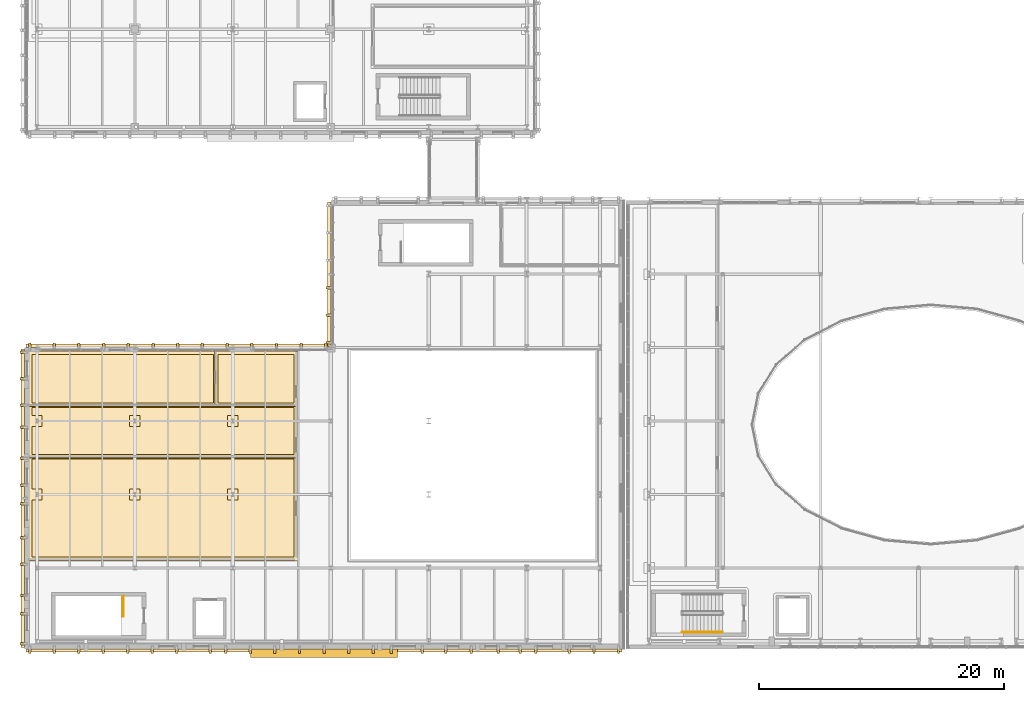
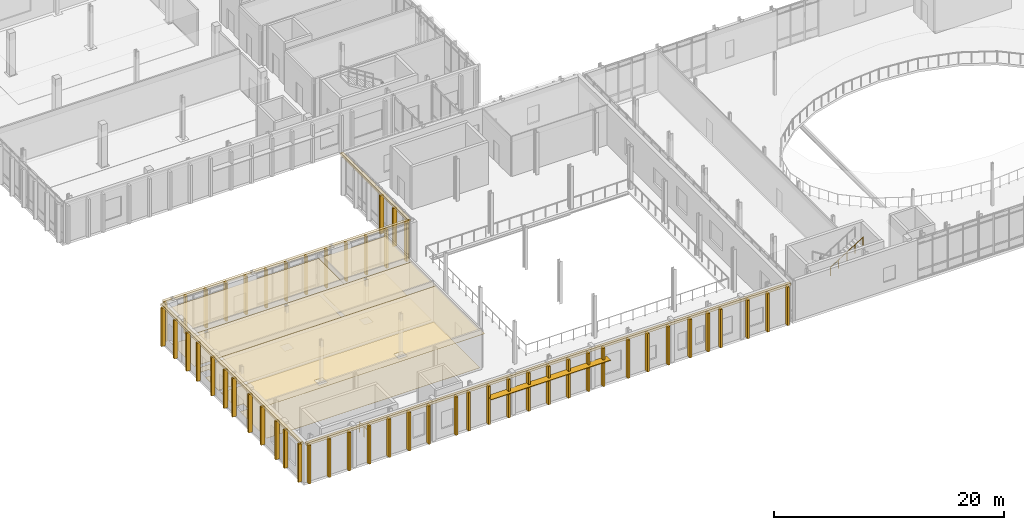
# One storey, part 82 of 100: 65 coverings, 2 railings, 1 shading device.
"""IFC4 building model written with IfcOpenShell, lengths in metres."""

from ifc_helpers import new_model, si_unit, direction, frame, origin, origin_2d, place, context, subcontext, project, spatial, polyline, rectangle, circle, outline, extrude, material, layer, layer_set, type_object, element, save


model = new_model("IFC4")

# Units and contexts
model_context = context("Model", 3, precision=1e-05, world=origin(), true_north=direction((0.0, 1.0)))
body_context = subcontext(model_context, "Body", "Model", "MODEL_VIEW")
ifc_project = project(units=[si_unit("LENGTHUNIT", "METRE"), si_unit("AREAUNIT", "SQUARE_METRE"), si_unit("VOLUMEUNIT", "CUBIC_METRE"), si_unit("PLANEANGLEUNIT", "RADIAN"), si_unit("MASSUNIT", "GRAM", prefix="KILO")], contexts=[model_context])

# Site, building, storey
site_placement = place(None, origin())
site = spatial("IfcSite", under=ifc_project, at=site_placement, CompositionType="ELEMENT")
building_placement = place(site_placement, origin())
building = spatial("IfcBuilding", under=site, at=building_placement, Name="Cymarion Research Institute", CompositionType="ELEMENT")
storey_placement = place(building_placement, frame((0.0, 0.0, 9.300048828125)))
storey = spatial("IfcBuildingStorey", under=building, at=storey_placement, Name="L02", CompositionType="ELEMENT", Elevation=9.300048828125)

# Coverings
ifc_material_1 = material(Name="Micro-perforated mineral acoustic ceiling tile", Category="gypsum")
ifc_layer_1 = layer(ifc_material_1, 0.030029296875)
ifc_layer_set_1 = layer_set([ifc_layer_1], Name="Micro-perforated mineral acoustic ceiling tile")
covering_type_1 = type_object("IfcCoveringType", Name="ACOUSTIC MICRO-PERFORATED SUSPENDED CEILING CLG-01", PredefinedType="CEILING", material=ifc_layer_set_1)
covering_1_placement = place(storey_placement, frame((0.0, 0.0, 3.699951171875)))
element("IfcCovering", 1, at=covering_1_placement, inside=storey, type_object=covering_type_1, Name="L02 L02 Undergraduate Natural Sciences Teaching Lab A acoustic ceiling", PredefinedType="CEILING", context=body_context, shape_type="SweptSolid", body=[
    extrude(outline(polyline([(27.9150390625, 20.715087890625), (27.9150390625, 12.0849609375), (5.885009765625, 12.0849609375), (5.885009765625, 20.715087890625), (27.9150390625, 20.715087890625)])), origin(), (0.0, 0.0, 1.0), 0.030029296875),
])
covering_2_placement = place(storey_placement, frame((0.0, 0.0, 3.699951171875)))
element("IfcCovering", 2, at=covering_2_placement, inside=storey, type_object=covering_type_1, Name="L02 L02 Computational & Optics Teaching Lab B acoustic ceiling", PredefinedType="CEILING", context=body_context, shape_type="SweptSolid", body=[
    extrude(outline(polyline([(27.9150390625, 24.9150390625), (27.9150390625, 20.485107421875), (5.885009765625, 20.485107421875), (5.885009765625, 24.9150390625), (27.9150390625, 24.9150390625)])), origin(), (0.0, 0.0, 1.0), 0.030029296875),
])
covering_3_placement = place(storey_placement, frame((0.0, 0.0, 3.699951171875)))
element("IfcCovering", 3, at=covering_3_placement, inside=storey, type_object=covering_type_1, Name="L02 L02 Symposium Cloakroom & Teaching Prep Store acoustic ceiling", PredefinedType="CEILING", context=body_context, shape_type="SweptSolid", body=[
    extrude(outline(polyline([(21.31494140625, 29.215087890625), (21.31494140625, 24.68505859375), (5.885009765625, 24.68505859375), (5.885009765625, 29.215087890625), (21.31494140625, 29.215087890625)])), origin(), (0.0, 0.0, 1.0), 0.030029296875),
])
covering_4_placement = place(storey_placement, frame((0.0, 0.0, 3.699951171875)))
element("IfcCovering", 4, at=covering_4_placement, inside=storey, type_object=covering_type_1, Name="L02 L02 V3 Accessible WC acoustic ceiling", PredefinedType="CEILING", context=body_context, shape_type="SweptSolid", body=[
    extrude(outline(polyline([(27.9150390625, 29.215087890625), (27.9150390625, 24.68505859375), (21.0849609375, 24.68505859375), (21.0849609375, 29.215087890625), (27.9150390625, 29.215087890625)])), origin(), (0.0, 0.0, 1.0), 0.030029296875),
])

# Shading device
ifc_material_2 = material(Name="Anodised aluminium aerofoil sunshade", Category="aluminium")
ifc_layer_2 = layer(ifc_material_2, 0.06005859375)
ifc_layer_set_2 = layer_set([ifc_layer_2], Name="Anodised aluminium aerofoil sunshade")
shading_device_type = type_object("IfcShadingDeviceType", Name="ANODISED ALUMINIUM HORIZONTAL SUNSHADE SHD1 700MM", PredefinedType="AWNING", material=ifc_layer_set_2)
shading_device_placement = place(storey_placement, frame((30.050048828125, 4.548095703125, 2.7900390625), z_axis=(0.0, 0.0, 1.0), x_axis=(0.0, -1.0, 0.0)))
element("IfcShadingDevice", 5, at=shading_device_placement, inside=storey, type_object=shading_device_type, Name="L02 V3 south aluminium sunshade SHD1 #4", PredefinedType="AWNING", context=body_context, shape_type="SweptSolid", body=[
    extrude(rectangle(XDim=0.699951171875, YDim=12.0, at=origin_2d()), origin(), (0.0, 0.0, 1.0), 0.06005859375),
])

# Railing
ifc_material_3 = material(Name="Steel S355", Category="steel")
railing_type_1 = type_object("IfcRailingType", Name="PAINTED STEEL STAIR GUARDRAIL GR1 1100MM", PredefinedType="GUARDRAIL", material=ifc_material_3)
railing_1_placement = place(storey_placement, frame((13.64990234375, 9.199951171875, 0.0)))
element("IfcRailing", 6, at=railing_1_placement, inside=storey, type_object=railing_type_1, Name="L02 ST5 top well guard 1", PredefinedType="GUARDRAIL", context=body_context, shape_type="SweptSolid", body=[
    extrude(circle(Radius=0.02392578125, at=origin_2d()), frame((0.0, 0.0, 1.076171875), z_axis=(0.0, -1.0, 0.0), x_axis=(1.0, 0.0, 0.0)), (0.0, 0.0, 1.0), 1.679931640625),
    extrude(circle(Radius=0.02099609375, at=origin_2d()), origin(), (0.0, 0.0, 1.0), 1.052001953125),
    extrude(circle(Radius=0.02099609375, at=origin_2d()), frame((0.0, -0.83984375, 0.0)), (0.0, 0.0, 1.0), 1.052001953125),
    extrude(circle(Radius=0.02099609375, at=origin_2d()), frame((0.0, -1.679931640625, 0.0)), (0.0, 0.0, 1.0), 1.052001953125),
])

# Coverings
ifc_material_4 = material(Name="Precast concrete C45/55 architectural white", Category="concrete")
ifc_layer_3 = layer(ifc_material_4, 0.260009765625)
ifc_layer_set_3 = layer_set([ifc_layer_3], Name="Precast concrete C45/55 architectural white")
covering_type_2 = type_object("IfcCoveringType", Name="SCULPTURAL WHITE PRECAST CONCRETE SPANDREL BROW BAND RIB2 280MM", PredefinedType="CLADDING", material=ifc_layer_set_3)
covering_5_placement = place(storey_placement, frame((30.050048828125, 4.758056640625, 4.08984375), z_axis=(0.0, 0.0, 1.0), x_axis=(0.0, -1.0, 0.0)))
element("IfcCovering", 7, at=covering_5_placement, inside=storey, type_object=covering_type_2, Name="L02 V3 precast spandrel brow band RIB2 #442", PredefinedType="CLADDING", context=body_context, shape_type="SweptSolid", body=[
    extrude(rectangle(XDim=0.280029296875, YDim=48.659912109375, at=origin_2d()), origin(), (0.0, 0.0, 1.0), 0.260009765625),
])
covering_6_placement = place(storey_placement, frame((30.4580078125, 35.5, 4.08984375), z_axis=(0.0, 0.0, 1.0), x_axis=(-1.0, 0.0, 0.0)))
element("IfcCovering", 8, at=covering_6_placement, inside=storey, type_object=covering_type_2, Name="L02 V3 precast spandrel brow band RIB2 #479", PredefinedType="CLADDING", context=body_context, shape_type="SweptSolid", body=[
    extrude(rectangle(XDim=0.280029296875, YDim=11.760009765625, at=origin_2d()), origin(), (0.0, 0.0, 1.0), 0.260009765625),
])
covering_7_placement = place(storey_placement, frame((18.10009765625, 29.64208984375, 4.08984375), z_axis=(0.0, 0.0, 1.0), x_axis=(0.0, 1.0, 0.0)))
element("IfcCovering", 9, at=covering_7_placement, inside=storey, type_object=covering_type_2, Name="L02 V3 precast spandrel brow band RIB2 #486", PredefinedType="CLADDING", context=body_context, shape_type="SweptSolid", body=[
    extrude(rectangle(XDim=0.280029296875, YDim=24.760009765625, at=origin_2d()), origin(), (0.0, 0.0, 1.0), 0.260009765625),
])
covering_8_placement = place(storey_placement, frame((5.4580078125, 17.199951171875, 4.08984375), z_axis=(0.0, 0.0, 1.0), x_axis=(-1.0, 0.0, 0.0)))
element("IfcCovering", 10, at=covering_8_placement, inside=storey, type_object=covering_type_2, Name="L02 V3 precast spandrel brow band RIB2 #500", PredefinedType="CLADDING", context=body_context, shape_type="SweptSolid", body=[
    extrude(rectangle(XDim=0.280029296875, YDim=24.360107421875, at=origin_2d()), origin(), (0.0, 0.0, 1.0), 0.260009765625),
])
ifc_layer_4 = layer(ifc_material_4, 0.199951171875)
ifc_layer_set_4 = layer_set([ifc_layer_4], Name="Precast concrete C45/55 architectural white")
covering_type_3 = type_object("IfcCoveringType", Name="SCULPTURAL WHITE PRECAST CONCRETE VERTICAL RIB RIB1 380X200", PredefinedType="CLADDING", material=ifc_layer_set_4)
for number, where, z_axis, x_axis, name in (
    (11, (6.0, 4.7080078125, 0.009765625), (0.0, 0.0, 1.0), (0.0, -1.0, 0.0), "L02 V3 sculptural precast vertical rib RIB1 #443"),
    (12, (8.004150390625, 4.7080078125, 0.009765625), (0.0, 0.0, 1.0), (0.0, -1.0, 0.0), "L02 V3 sculptural precast vertical rib RIB1 #444"),
    (13, (10.00830078125, 4.7080078125, 0.009765625), (0.0, 0.0, 1.0), (0.0, -1.0, 0.0), "L02 V3 sculptural precast vertical rib RIB1 #445"),
    (14, (12.012451171875, 4.7080078125, 0.009765625), (0.0, 0.0, 1.0), (0.0, -1.0, 0.0), "L02 V3 sculptural precast vertical rib RIB1 #446"),
    (15, (14.0166015625, 4.7080078125, 0.009765625), (0.0, 0.0, 1.0), (0.0, -1.0, 0.0), "L02 V3 sculptural precast vertical rib RIB1 #447"),
    (16, (16.020751953125, 4.7080078125, 0.009765625), (0.0, 0.0, 1.0), (0.0, -1.0, 0.0), "L02 V3 sculptural precast vertical rib RIB1 #448"),
    (17, (18.02490234375, 4.7080078125, 0.009765625), (0.0, 0.0, 1.0), (0.0, -1.0, 0.0), "L02 V3 sculptural precast vertical rib RIB1 #449"),
    (18, (20.77001953125, 4.7080078125, 0.009765625), (0.0, 0.0, 1.0), (0.0, -1.0, 0.0), "L02 V3 sculptural precast vertical rib RIB1 #450"),
    (19, (22.033203125, 4.7080078125, 0.009765625), (0.0, 0.0, 1.0), (0.0, -1.0, 0.0), "L02 V3 sculptural precast vertical rib RIB1 #451"),
    (20, (24.03759765625, 4.7080078125, 0.009765625), (0.0, 0.0, 1.0), (0.0, -1.0, 0.0), "L02 V3 sculptural precast vertical rib RIB1 #452"),
    (21, (26.041748046875, 4.7080078125, 0.009765625), (0.0, 0.0, 1.0), (0.0, -1.0, 0.0), "L02 V3 sculptural precast vertical rib RIB1 #453"),
    (22, (28.0458984375, 4.7080078125, 0.009765625), (0.0, 0.0, 1.0), (0.0, -1.0, 0.0), "L02 V3 sculptural precast vertical rib RIB1 #454"),
    (23, (30.050048828125, 4.7080078125, 0.009765625), (0.0, 0.0, 1.0), (0.0, -1.0, 0.0), "L02 V3 sculptural precast vertical rib RIB1 #455"),
    (24, (32.05419921875, 4.7080078125, 0.009765625), (0.0, 0.0, 1.0), (0.0, -1.0, 0.0), "L02 V3 sculptural precast vertical rib RIB1 #456"),
    (25, (34.058349609375, 4.7080078125, 0.009765625), (0.0, 0.0, 1.0), (0.0, -1.0, 0.0), "L02 V3 sculptural precast vertical rib RIB1 #457"),
    (26, (35.550048828125, 4.7080078125, 0.009765625), (0.0, 0.0, 1.0), (0.0, -1.0, 0.0), "L02 V3 sculptural precast vertical rib RIB1 #458"),
    (27, (38.066650390625, 4.7080078125, 0.009765625), (0.0, 0.0, 1.0), (0.0, -1.0, 0.0), "L02 V3 sculptural precast vertical rib RIB1 #459"),
    (28, (40.0, 4.7080078125, 0.009765625), (0.0, 0.0, 1.0), (0.0, -1.0, 0.0), "L02 V3 sculptural precast vertical rib RIB1 #460"),
    (29, (42.074951171875, 4.7080078125, 0.009765625), (0.0, 0.0, 1.0), (0.0, -1.0, 0.0), "L02 V3 sculptural precast vertical rib RIB1 #461"),
    (30, (44.27001953125, 4.7080078125, 0.009765625), (0.0, 0.0, 1.0), (0.0, -1.0, 0.0), "L02 V3 sculptural precast vertical rib RIB1 #462"),
    (31, (46.083251953125, 4.7080078125, 0.009765625), (0.0, 0.0, 1.0), (0.0, -1.0, 0.0), "L02 V3 sculptural precast vertical rib RIB1 #463"),
    (32, (47.35009765625, 4.7080078125, 0.009765625), (0.0, 0.0, 1.0), (0.0, -1.0, 0.0), "L02 V3 sculptural precast vertical rib RIB1 #464"),
    (33, (50.091796875, 4.7080078125, 0.009765625), (0.0, 0.0, 1.0), (0.0, -1.0, 0.0), "L02 V3 sculptural precast vertical rib RIB1 #465"),
    (34, (52.095703125, 4.7080078125, 0.009765625), (0.0, 0.0, 1.0), (0.0, -1.0, 0.0), "L02 V3 sculptural precast vertical rib RIB1 #466"),
    (35, (54.10009765625, 4.7080078125, 0.009765625), (0.0, 0.0, 1.0), (0.0, -1.0, 0.0), "L02 V3 sculptural precast vertical rib RIB1 #467"),
    (36, (30.407958984375, 34.3798828125, 0.009765625), (0.0, 0.0, 1.0), (-1.0, 0.0, 0.0), "L02 V3 sculptural precast vertical rib RIB1 #483"),
    (37, (30.407958984375, 32.139892578125, 0.009765625), (0.0, 0.0, 1.0), (-1.0, 0.0, 0.0), "L02 V3 sculptural precast vertical rib RIB1 #484"),
    (38, (30.407958984375, 29.89990234375, 0.009765625), (0.0, 0.0, 1.0), (-1.0, 0.0, 0.0), "L02 V3 sculptural precast vertical rib RIB1 #485"),
    (39, (30.199951171875, 29.69189453125, 0.009765625), (0.0, 0.0, 1.0), (0.0, 1.0, 0.0), "L02 V3 sculptural precast vertical rib RIB1 #487"),
    (40, (28.183349609375, 29.69189453125, 0.009765625), (0.0, 0.0, 1.0), (0.0, 1.0, 0.0), "L02 V3 sculptural precast vertical rib RIB1 #488"),
    (41, (26.166748046875, 29.69189453125, 0.009765625), (0.0, 0.0, 1.0), (0.0, 1.0, 0.0), "L02 V3 sculptural precast vertical rib RIB1 #489"),
    (42, (24.14990234375, 29.69189453125, 0.009765625), (0.0, 0.0, 1.0), (0.0, 1.0, 0.0), "L02 V3 sculptural precast vertical rib RIB1 #490"),
    (43, (22.13330078125, 29.69189453125, 0.009765625), (0.0, 0.0, 1.0), (0.0, 1.0, 0.0), "L02 V3 sculptural precast vertical rib RIB1 #491"),
    (44, (20.11669921875, 29.69189453125, 0.009765625), (0.0, 0.0, 1.0), (0.0, 1.0, 0.0), "L02 V3 sculptural precast vertical rib RIB1 #492"),
    (45, (18.10009765625, 29.69189453125, 0.009765625), (0.0, 0.0, 1.0), (0.0, 1.0, 0.0), "L02 V3 sculptural precast vertical rib RIB1 #493"),
    (46, (16.083251953125, 29.69189453125, 0.009765625), (0.0, 0.0, 1.0), (0.0, 1.0, 0.0), "L02 V3 sculptural precast vertical rib RIB1 #494"),
    (47, (14.066650390625, 29.69189453125, 0.009765625), (0.0, 0.0, 1.0), (0.0, 1.0, 0.0), "L02 V3 sculptural precast vertical rib RIB1 #495"),
    (48, (12.050048828125, 29.69189453125, 0.009765625), (0.0, 0.0, 1.0), (0.0, 1.0, 0.0), "L02 V3 sculptural precast vertical rib RIB1 #496"),
    (49, (10.033203125, 29.69189453125, 0.009765625), (0.0, 0.0, 1.0), (0.0, 1.0, 0.0), "L02 V3 sculptural precast vertical rib RIB1 #497"),
    (50, (8.0166015625, 29.69189453125, 0.009765625), (0.0, 0.0, 1.0), (0.0, 1.0, 0.0), "L02 V3 sculptural precast vertical rib RIB1 #498"),
    (51, (6.0, 29.69189453125, 0.009765625), (0.0, 0.0, 1.0), (0.0, 1.0, 0.0), "L02 V3 sculptural precast vertical rib RIB1 #499"),
    (52, (5.407958984375, 29.10009765625, 0.009765625), (0.0, 0.0, 1.0), (-1.0, 0.0, 0.0), "L02 V3 sculptural precast vertical rib RIB1 #501"),
    (53, (5.407958984375, 26.936279296875, 0.009765625), (0.0, 0.0, 1.0), (-1.0, 0.0, 0.0), "L02 V3 sculptural precast vertical rib RIB1 #502"),
    (54, (5.407958984375, 24.772705078125, 0.009765625), (0.0, 0.0, 1.0), (-1.0, 0.0, 0.0), "L02 V3 sculptural precast vertical rib RIB1 #503"),
    (55, (5.407958984375, 22.97998046875, 0.009765625), (0.0, 0.0, 1.0), (-1.0, 0.0, 0.0), "L02 V3 sculptural precast vertical rib RIB1 #504"),
    (56, (5.407958984375, 20.445556640625, 0.009765625), (0.0, 0.0, 1.0), (-1.0, 0.0, 0.0), "L02 V3 sculptural precast vertical rib RIB1 #505"),
    (57, (5.407958984375, 18.25, 0.009765625), (0.0, 0.0, 1.0), (-1.0, 0.0, 0.0), "L02 V3 sculptural precast vertical rib RIB1 #506"),
    (58, (5.407958984375, 16.75, 0.009765625), (0.0, 0.0, 1.0), (-1.0, 0.0, 0.0), "L02 V3 sculptural precast vertical rib RIB1 #507"),
    (59, (5.407958984375, 13.95458984375, 0.009765625), (0.0, 0.0, 1.0), (-1.0, 0.0, 0.0), "L02 V3 sculptural precast vertical rib RIB1 #508"),
    (60, (5.407958984375, 11.791015625, 0.009765625), (0.0, 0.0, 1.0), (-1.0, 0.0, 0.0), "L02 V3 sculptural precast vertical rib RIB1 #509"),
    (61, (5.407958984375, 9.25, 0.009765625), (0.0, 0.0, 1.0), (-1.0, 0.0, 0.0), "L02 V3 sculptural precast vertical rib RIB1 #510"),
    (62, (5.407958984375, 7.760009765625, 0.009765625), (0.0, 0.0, 1.0), (-1.0, 0.0, 0.0), "L02 V3 sculptural precast vertical rib RIB1 #511"),
    (63, (5.407958984375, 5.300048828125, 0.009765625), (0.0, 0.0, 1.0), (-1.0, 0.0, 0.0), "L02 V3 sculptural precast vertical rib RIB1 #512"),
):
    element("IfcCovering", number, at=place(storey_placement, frame(where, z_axis=z_axis, x_axis=x_axis)), inside=storey, type_object=covering_type_3, Name=name, PredefinedType="CLADDING", context=body_context, shape_type="SweptSolid", body=[
        extrude(rectangle(XDim=0.3798828125, YDim=0.199951171875, at=origin_2d()), origin(), (0.0, 0.0, 1.0), 4.074951171875),
    ])
ifc_material_5 = material(Name="Seamless dissipative epoxy resin flooring", Category="resin")
ifc_layer_5 = layer(ifc_material_5, 0.02001953125)
ifc_layer_set_5 = layer_set([ifc_layer_5], Name="Seamless dissipative epoxy resin flooring")
covering_type_4 = type_object("IfcCoveringType", Name="SEAMLESS ESD EPOXY LABORATORY FLOORING FLR-01", PredefinedType="FLOORING", material=ifc_layer_set_5)
covering_9_placement = place(storey_placement, origin())
element("IfcCovering", 64, at=covering_9_placement, inside=storey, type_object=covering_type_4, Name="L02 L02 Undergraduate Natural Sciences Teaching Lab A ESD epoxy flooring", PredefinedType="FLOORING", context=body_context, shape_type="SweptSolid", body=[
    extrude(outline(polyline([(6.18505859375, 17.06494140625), (7.034912109375, 17.06494140625), (7.034912109375, 17.93505859375), (6.18505859375, 17.93505859375), (6.18505859375, 20.4150390625), (27.614990234375, 20.4150390625), (27.614990234375, 12.385009765625), (6.18505859375, 12.385009765625), (6.18505859375, 17.06494140625)]), holes=[polyline([(23.034912109375, 17.93505859375), (22.1650390625, 17.93505859375), (22.1650390625, 17.06494140625), (23.034912109375, 17.06494140625), (23.034912109375, 17.93505859375)]), polyline([(15.034912109375, 17.93505859375), (14.1650390625, 17.93505859375), (14.1650390625, 17.06494140625), (15.034912109375, 17.06494140625), (15.034912109375, 17.93505859375)])]), origin(), (0.0, 0.0, 1.0), 0.02001953125),
])
covering_10_placement = place(storey_placement, origin())
element("IfcCovering", 65, at=covering_10_placement, inside=storey, type_object=covering_type_4, Name="L02 L02 Computational & Optics Teaching Lab B ESD epoxy flooring", PredefinedType="FLOORING", context=body_context, shape_type="SweptSolid", body=[
    extrude(outline(polyline([(6.18505859375, 23.06494140625), (7.034912109375, 23.06494140625), (7.034912109375, 23.93505859375), (6.18505859375, 23.93505859375), (6.18505859375, 24.614990234375), (27.614990234375, 24.614990234375), (27.614990234375, 20.784912109375), (6.18505859375, 20.784912109375), (6.18505859375, 23.06494140625)]), holes=[polyline([(23.034912109375, 23.93505859375), (22.1650390625, 23.93505859375), (22.1650390625, 23.06494140625), (23.034912109375, 23.06494140625), (23.034912109375, 23.93505859375)]), polyline([(15.034912109375, 23.93505859375), (14.1650390625, 23.93505859375), (14.1650390625, 23.06494140625), (15.034912109375, 23.06494140625), (15.034912109375, 23.93505859375)])]), origin(), (0.0, 0.0, 1.0), 0.02001953125),
])
covering_11_placement = place(storey_placement, origin())
element("IfcCovering", 66, at=covering_11_placement, inside=storey, type_object=covering_type_4, Name="L02 L02 Symposium Cloakroom & Teaching Prep Store ESD epoxy flooring", PredefinedType="FLOORING", context=body_context, shape_type="SweptSolid", body=[
    extrude(outline(polyline([(6.18505859375, 28.9150390625), (21.014892578125, 28.9150390625), (21.014892578125, 24.985107421875), (6.18505859375, 24.985107421875), (6.18505859375, 28.9150390625)])), origin(), (0.0, 0.0, 1.0), 0.02001953125),
])
covering_12_placement = place(storey_placement, origin())
element("IfcCovering", 67, at=covering_12_placement, inside=storey, type_object=covering_type_4, Name="L02 L02 V3 Accessible WC ESD epoxy flooring", PredefinedType="FLOORING", context=body_context, shape_type="SweptSolid", body=[
    extrude(outline(polyline([(21.385009765625, 28.9150390625), (27.614990234375, 28.9150390625), (27.614990234375, 24.985107421875), (21.385009765625, 24.985107421875), (21.385009765625, 28.9150390625)])), origin(), (0.0, 0.0, 1.0), 0.02001953125),
])

# Railing
railing_type_2 = type_object("IfcRailingType", Name="STAINLESS STEEL STAIR HANDRAIL HR1 900MM", PredefinedType="HANDRAIL", material=ifc_material_3)
railing_2_placement = place(storey_placement, frame((59.300048828125, 6.25, 2.4375)))
element("IfcRailing", 68, at=railing_2_placement, inside=storey, type_object=railing_type_2, Name="L02 ST3 stair handrail 2", PredefinedType="HANDRAIL", context=body_context, shape_type="SweptSolid", body=[
    extrude(circle(Radius=0.02392578125, at=origin_2d()), frame((0.0, 0.0, 0.8759765625), z_axis=(0.848001828478, 0.0, 0.529993300805), x_axis=(0.0, 1.0, 0.0)), (0.0, 0.0, 1.0), 3.8916015625),
    extrude(circle(Radius=0.02099609375, at=origin_2d()), origin(), (0.0, 0.0, 1.0), 0.851806640625),
    extrude(circle(Radius=0.02099609375, at=origin_2d()), frame((0.824951171875, 0.0, 0.515625)), (0.0, 0.0, 1.0), 0.851806640625),
    extrude(circle(Radius=0.02099609375, at=origin_2d()), frame((1.64990234375, 0.0, 1.03125)), (0.0, 0.0, 1.0), 0.851806640625),
    extrude(circle(Radius=0.02099609375, at=origin_2d()), frame((2.47509765625, 0.0, 1.546875)), (0.0, 0.0, 1.0), 0.851806640625),
    extrude(circle(Radius=0.02099609375, at=origin_2d()), frame((3.300048828125, 0.0, 2.0625)), (0.0, 0.0, 1.0), 0.851806640625),
])

save(model, "model.ifc")
